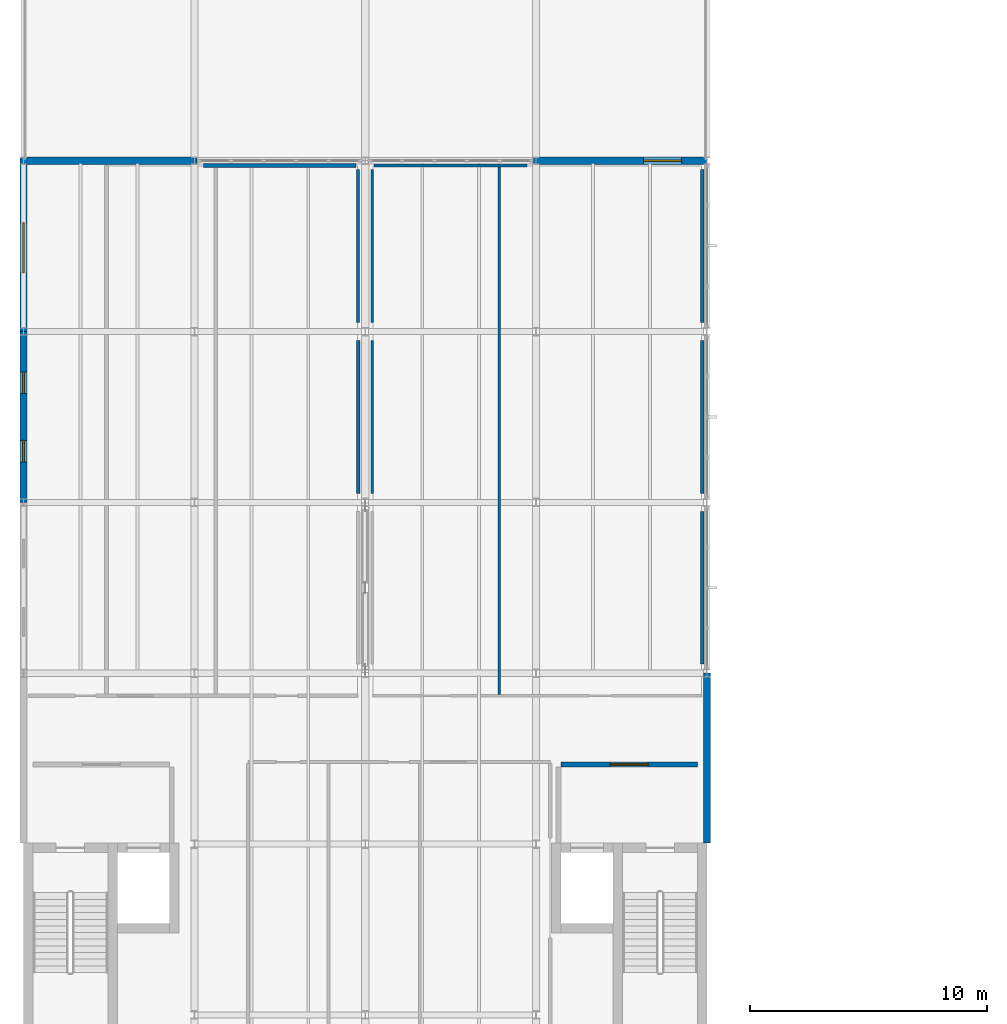
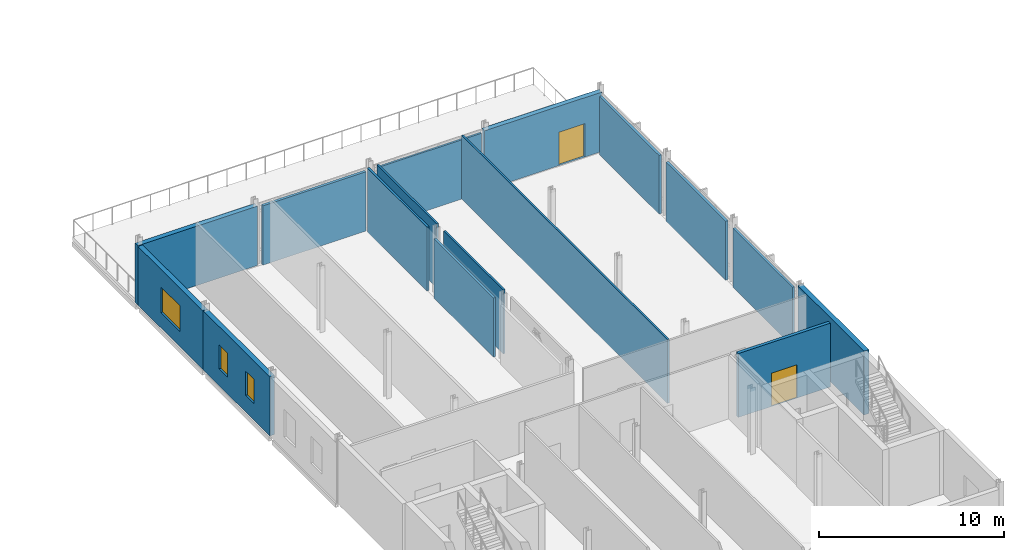
# One storey, part 15 of 21: 16 walls, 3 windows, 2 doors, 5 openings.
"""IFC4 building model written with IfcOpenShell, lengths in metres."""

import ifcopenshell
import ifcopenshell.guid

model = None  # the IFC model being written
_history = None  # IfcOwnerHistory: only IFC2X3 demands one
_inside = {}  # id of a spatial element -> (the spatial element, [elements in it])
_under = {}  # id of a project, library or spatial element -> (it, [spatial elements below it])
_declared = {}  # id of a project -> (the project, [libraries it declares])
_typed = {}  # id of a type object -> (the type object, [elements of that type])
_made_of = {}  # id of a material, layer set ... -> (it, [elements and type objects made of it])


def new_model(schema):
    """Start an empty IFC model of exactly this schema.

    Asked for "IFC4X3", IfcOpenShell would pick the latest addendum, in which some entities
    have other attributes; the version numbers below select the first issue.
    IFC2X3 requires an IfcOwnerHistory on every rooted entity: one is made here for all.
    """
    global model, _history
    if schema == "IFC4X3":
        model = ifcopenshell.file(schema_version=(4, 3, 0, 0))
    else:
        model = ifcopenshell.file(schema=schema)
    _inside.clear()
    _under.clear()
    _declared.clear()
    _typed.clear()
    _made_of.clear()
    _history = None
    if model.schema == "IFC2X3":
        org = make("IfcOrganization", Name="unknown")
        user = make(
            "IfcPersonAndOrganization",
            ThePerson=make("IfcPerson", FamilyName="unknown"),
            TheOrganization=org,
        )
        app = make(
            "IfcApplication",
            ApplicationDeveloper=org,
            Version="unknown",
            ApplicationFullName="unknown",
            ApplicationIdentifier="unknown",
        )
        _history = make(
            "IfcOwnerHistory",
            OwningUser=user,
            OwningApplication=app,
            ChangeAction="ADDED",
            CreationDate=0,
        )
    return model


def make(cls, **values):
    """One entity of the class cls with the attributes given. An attribute that is None is left unset."""
    return model.create_entity(
        cls, **{name: value for name, value in values.items() if value is not None}
    )


def rooted(cls, **values):
    """An entity with a GlobalId (a new one), such as an element, a storey or a relation."""
    return make(cls, GlobalId=ifcopenshell.guid.new(), OwnerHistory=_history, **values)


def si_unit(unit_type, name, prefix=None):
    """IfcSIUnit, for example si_unit("LENGTHUNIT", "METRE", prefix="MILLI")."""
    return make("IfcSIUnit", UnitType=unit_type, Prefix=prefix, Name=name)


def assignment(units):
    """IfcUnitAssignment: the units of a project."""
    return None if units is None else make("IfcUnitAssignment", Units=units)


def point(xyz):
    """IfcCartesianPoint."""
    return None if xyz is None else make("IfcCartesianPoint", Coordinates=xyz)


def direction(xyz):
    """IfcDirection."""
    return None if xyz is None else make("IfcDirection", DirectionRatios=xyz)


def frame(location, z_axis=None, x_axis=None):
    """IfcAxis2Placement3D, a coordinate frame: its origin and axes. An axis left out is left unset."""
    return make(
        "IfcAxis2Placement3D",
        Location=point(location),
        Axis=direction(z_axis),
        RefDirection=direction(x_axis),
    )


def frame_2d(location, x_axis=None):
    """IfcAxis2Placement2D, a coordinate frame in the plane: its origin and x axis."""
    return make(
        "IfcAxis2Placement2D", Location=point(location), RefDirection=direction(x_axis)
    )


def origin():
    """The frame at (0, 0, 0) with its axes left unset."""
    return frame((0.0, 0.0, 0.0))


def place(relative_to, where):
    """IfcLocalPlacement: puts the frame where relative to a parent placement (None: the world)."""
    return make(
        "IfcLocalPlacement", PlacementRelTo=relative_to, RelativePlacement=where
    )


def context(
    kind, dimensions, precision=None, world=None, true_north=None, identifier=None
):
    """IfcGeometricRepresentationContext, for example the 3D "Model" context."""
    return make(
        "IfcGeometricRepresentationContext",
        ContextIdentifier=identifier,
        ContextType=kind,
        CoordinateSpaceDimension=dimensions,
        Precision=precision,
        WorldCoordinateSystem=world,
        TrueNorth=true_north,
    )


def subcontext(parent, identifier, kind, view, scale=None):
    """IfcGeometricRepresentationSubContext, for example "Body" below "Model"."""
    return make(
        "IfcGeometricRepresentationSubContext",
        ContextIdentifier=identifier,
        ContextType=kind,
        ParentContext=parent,
        TargetScale=scale,
        TargetView=view,
    )


def project(units=None, contexts=None):
    """IfcProject with its units and contexts."""
    return rooted(
        "IfcProject",
        Name="project",
        RepresentationContexts=contexts,
        UnitsInContext=assignment(units),
    )


def spatial(cls, under=None, at=None, **own):
    """A site, building, storey or space (cls), placed at a placement, below another one or the project."""
    s = rooted(cls, ObjectPlacement=at, **own)
    if under is not None:
        _under.setdefault(under.id(), (under, []))[1].append(s)
    return s


def profile(cls, at=None, kind="AREA", **sizes):
    """A parametric profile (cls). Its sizes go by their IFC names, for example OverallWidth=200.0."""
    return make(cls, ProfileType=kind, Position=at, **sizes)


def rectangle(**sizes):
    """IfcRectangleProfileDef."""
    return profile("IfcRectangleProfileDef", **sizes)


def extrude(swept, where, along, depth):
    """IfcExtrudedAreaSolid: the profile swept, set in the frame where, extruded along a direction by depth."""
    return make(
        "IfcExtrudedAreaSolid",
        SweptArea=swept,
        Position=where,
        ExtrudedDirection=direction(along),
        Depth=depth,
    )


def shape(context_of_items, identifier, shape_type, items):
    """IfcShapeRepresentation: the items that make up one representation, for example the "Body"."""
    return make(
        "IfcShapeRepresentation",
        ContextOfItems=context_of_items,
        RepresentationIdentifier=identifier,
        RepresentationType=shape_type,
        Items=items,
    )


def material(Name=None, Category=None):
    """IfcMaterial."""
    return make("IfcMaterial", Name=Name, Category=Category)


def layer(
    of_material, thickness, ventilated=None, Name=None, Category=None, Priority=None
):
    """IfcMaterialLayer: one layer of a wall or slab, of a material (None: an air gap)."""
    return make(
        "IfcMaterialLayer",
        Material=of_material,
        LayerThickness=thickness,
        IsVentilated=ventilated,
        Name=Name,
        Category=Category,
        Priority=Priority,
    )


def layer_set(layers, Name=None):
    """IfcMaterialLayerSet."""
    return make("IfcMaterialLayerSet", MaterialLayers=layers, LayerSetName=Name)


def made_of(thing, what):
    """Note that an element or type object is made of a material, layer set ...; save() writes the relation."""
    if what is not None:
        _made_of.setdefault(what.id(), (what, []))[1].append(thing)
    return thing


def type_object(cls, material=None, **own):
    """A type object (cls), such as IfcWallType, which elements share."""
    return made_of(rooted(cls, **own), material)


def element(
    cls,
    number,
    at=None,
    inside=None,
    cuts=None,
    type_object=None,
    material=None,
    context=None,
    identifier="Body",
    shape_type=None,
    held_by="IfcProductDefinitionShape",
    body=None,
    shapes=None,
    **own,
):
    """One element of the class cls, such as IfcWall. Its Tag is "e" and its number.

    at: its placement. inside: the storey or other place that contains it. cuts: it is an
    opening in that element (IfcRelVoidsElement). A single representation is given by context,
    identifier, shape_type and body (its items); several are given by shapes. held_by: the class
    of the entity that holds the representations. save() writes the other relations.
    """
    e = rooted(cls, Tag="e%d" % number, ObjectPlacement=at, **own)
    if body is not None:
        shapes = [shape(context, identifier, shape_type, body)]
    if shapes is not None:
        e.Representation = make(held_by, Representations=shapes)
    if inside is not None:
        _inside.setdefault(inside.id(), (inside, []))[1].append(e)
    if cuts is not None:
        rooted(
            "IfcRelVoidsElement", RelatingBuildingElement=cuts, RelatedOpeningElement=e
        )
    if type_object is not None:
        _typed.setdefault(type_object.id(), (type_object, []))[1].append(e)
    return made_of(e, material)


def fill(opening, filler):
    """IfcRelFillsElement: the door or window that sits in an opening."""
    return rooted(
        "IfcRelFillsElement",
        RelatingOpeningElement=opening,
        RelatedBuildingElement=filler,
    )


def aggregate(whole, parts):
    """IfcRelAggregates: a whole, such as a stair, and the parts it consists of."""
    return rooted("IfcRelAggregates", RelatingObject=whole, RelatedObjects=parts)


def save(model, path):
    """Write the relations noted so far, then the file.

    IfcRelAggregates (storeys below a building ...), IfcRelContainedInSpatialStructure (elements
    in a storey), IfcRelDefinesByType, IfcRelAssociatesMaterial and IfcRelDeclares: one each for
    every whole, place, type object, material and project.
    """
    for whole, parts in _under.values():
        aggregate(whole, parts)
    for where, things in _inside.values():
        rooted(
            "IfcRelContainedInSpatialStructure",
            RelatedElements=things,
            RelatingStructure=where,
        )
    for kind, things in _typed.values():
        rooted("IfcRelDefinesByType", RelatedObjects=things, RelatingType=kind)
    for what, things in _made_of.values():
        rooted("IfcRelAssociatesMaterial", RelatedObjects=things, RelatingMaterial=what)
    for by, libraries in _declared.values():
        rooted("IfcRelDeclares", RelatingContext=by, RelatedDefinitions=libraries)
    model.write(path)


model = new_model("IFC4")

# Units and contexts
model_context = context("Model", 3, precision=1e-05, world=origin(), true_north=direction((0.0, 1.0)))
body_context = subcontext(model_context, "Body", "Model", "MODEL_VIEW")
ifc_project = project(units=[si_unit("LENGTHUNIT", "METRE"), si_unit("AREAUNIT", "SQUARE_METRE"), si_unit("VOLUMEUNIT", "CUBIC_METRE"), si_unit("PLANEANGLEUNIT", "RADIAN"), si_unit("MASSUNIT", "GRAM", prefix="KILO")], contexts=[model_context])

# Site, building, storey
site_placement = place(None, origin())
site = spatial("IfcSite", under=ifc_project, at=site_placement, CompositionType="ELEMENT")
building_placement = place(site_placement, origin())
building = spatial("IfcBuilding", under=site, at=building_placement, Name="Zarrinpeak Specialist Clinic", CompositionType="ELEMENT")
storey_placement = place(building_placement, frame((0.0, 0.0, 22.800048828125)))
storey = spatial("IfcBuildingStorey", under=building, at=storey_placement, Name="L05", CompositionType="ELEMENT", Elevation=22.800048828125)

# Wall
ifc_material_1 = material(Name="Precast concrete C40/50", Category="concrete")
ifc_layer_1 = layer(ifc_material_1, 0.300048828125)
ifc_layer_set_1 = layer_set([ifc_layer_1], Name="Precast concrete C40/50")
wall_type_1 = type_object("IfcWallType", Name="WL-EW300", PredefinedType="STANDARD", material=ifc_layer_set_1)
wall_1_placement = place(storey_placement, frame((7.31005859375, 43.199951171875, 0.0), z_axis=(0.0, 0.0, 1.0), x_axis=(-1.0, 0.0, 0.0)))
element("IfcWall", 1, at=wall_1_placement, inside=storey, type_object=wall_type_1, Name="L05 V1 Exterior GRC Wall EW-L05-V1-0075", PredefinedType="STANDARD", context=body_context, shape_type="SweptSolid", body=[
    extrude(rectangle(XDim=7.4599609375, YDim=0.300048828125, at=frame_2d((3.72998046875, 0.0))), origin(), (0.0, 0.0, 1.0), 3.9150390625),
])

# Wall, opening, door
wall_2_placement = place(storey_placement, frame((28.800048828125, 43.199951171875, 0.0), z_axis=(0.0, 0.0, 1.0), x_axis=(-1.0, 0.0, 0.0)))
wall_2 = element("IfcWall", 2, at=wall_2_placement, inside=storey, type_object=wall_type_1, Name="L05 V1 Exterior GRC Wall EW-L05-V1-0076", PredefinedType="STANDARD", context=body_context, shape_type="SweptSolid", body=[
    extrude(rectangle(XDim=7.31005859375, YDim=0.300048828125, at=frame_2d((3.655029296875, 0.0))), origin(), (0.0, 0.0, 1.0), 3.9150390625),
])
opening_1_placement = place(wall_2_placement, frame((1.06201171875, 0.0, 0.0)))
opening_1 = element("IfcOpeningElement", 3, at=opening_1_placement, cuts=wall_2, Name="Opening D-TR2", PredefinedType="OPENING", context=body_context, shape_type="SweptSolid", body=[
    extrude(rectangle(XDim=1.60009765625, YDim=2.199951171875, at=frame_2d((0.800048828125, 1.10009765625))), frame((0.0, 0.16015625, 0.0), z_axis=(0.0, -1.0, 0.0), x_axis=(1.0, 0.0, 0.0)), (0.0, 0.0, 1.0), 0.320068359375),
])
ifc_material_2 = material(Name="Powder-Coated Steel and Safety Glazing", Category="steel")
door_type_1 = type_object("IfcDoorType", Name="DR-TER160", OperationType="DOUBLE_DOOR_SINGLE_SWING", PredefinedType="DOOR", material=ifc_material_2)
door_1_placement = place(opening_1_placement, origin())
door_1 = element("IfcDoor", 4, at=door_1_placement, inside=storey, type_object=door_type_1, Name="L05 V1 Healing Terrace Access Door TD-01", OperationType="DOUBLE_DOOR_SINGLE_SWING", OverallHeight=2.199951171875, OverallWidth=1.60009765625, PredefinedType="DOOR", context=body_context, shape_type="SweptSolid", body=[
    extrude(rectangle(XDim=1.60009765625, YDim=2.199951171875, at=frame_2d((0.800048828125, 1.10009765625))), frame((0.0, 0.02490234375, 0.0), z_axis=(0.0, -1.0, 0.0), x_axis=(1.0, 0.0, 0.0)), (0.0, 0.0, 1.0), 0.050048828125),
])
fill(opening_1, door_1)

# Wall, openings, windows
wall_3_placement = place(storey_placement, frame((0.0, 36.0, 0.0), z_axis=(0.0, 0.0, 1.0), x_axis=(0.0, -1.0, 0.0)))
wall_3 = element("IfcWall", 5, at=wall_3_placement, inside=storey, type_object=wall_type_1, Name="L05 V1 Exterior GRC Wall EW-L05-V1-0080", PredefinedType="STANDARD", context=body_context, shape_type="SweptSolid", body=[
    extrude(rectangle(XDim=7.199951171875, YDim=0.300048828125, at=frame_2d((3.60009765625, 0.0))), origin(), (0.0, 0.0, 1.0), 3.89990234375),
])
opening_2_placement = place(wall_3_placement, frame((1.7099609375, 0.0, 1.10009765625)))
opening_2 = element("IfcOpeningElement", 6, at=opening_2_placement, cuts=wall_3, Name="Opening W-07", PredefinedType="OPENING", context=body_context, shape_type="SweptSolid", body=[
    extrude(rectangle(XDim=0.89990234375, YDim=1.60009765625, at=frame_2d((0.449951171875, 0.800048828125))), frame((0.0, 0.16015625, 0.0), z_axis=(0.0, -1.0, 0.0), x_axis=(1.0, 0.0, 0.0)), (0.0, 0.0, 1.0), 0.320068359375),
])
opening_3_placement = place(wall_3_placement, frame((4.590087890625, 0.0, 1.10009765625)))
opening_3 = element("IfcOpeningElement", 7, at=opening_3_placement, cuts=wall_3, Name="Opening W-07", PredefinedType="OPENING", context=body_context, shape_type="SweptSolid", body=[
    extrude(rectangle(XDim=0.89990234375, YDim=1.60009765625, at=frame_2d((0.449951171875, 0.800048828125))), frame((0.0, 0.16015625, 0.0), z_axis=(0.0, -1.0, 0.0), x_axis=(1.0, 0.0, 0.0)), (0.0, 0.0, 1.0), 0.320068359375),
])
ifc_material_3 = material(Name="Thermally Broken Aluminium and Low-E Glazing", Category="aluminium")
window_type_1 = type_object("IfcWindowType", Name="WN-OBS90", PartitioningType="SINGLE_PANEL", PredefinedType="WINDOW", material=ifc_material_3)
window_1_placement = place(opening_2_placement, origin())
window_1 = element("IfcWindow", 8, at=window_1_placement, inside=storey, type_object=window_type_1, Name="L05 Modular Facade Window WN-L05-0117", OverallHeight=1.60009765625, OverallWidth=0.89990234375, PartitioningType="SINGLE_PANEL", PredefinedType="WINDOW", context=body_context, shape_type="SweptSolid", body=[
    extrude(rectangle(XDim=0.89990234375, YDim=1.60009765625, at=frame_2d((0.449951171875, 0.800048828125))), frame((0.0, 0.030029296875, 0.0), z_axis=(0.0, -1.0, 0.0), x_axis=(1.0, 0.0, 0.0)), (0.0, 0.0, 1.0), 0.06005859375),
])
fill(opening_2, window_1)
window_2_placement = place(opening_3_placement, origin())
window_2 = element("IfcWindow", 9, at=window_2_placement, inside=storey, type_object=window_type_1, Name="L05 Modular Facade Window WN-L05-0118", OverallHeight=1.60009765625, OverallWidth=0.89990234375, PartitioningType="SINGLE_PANEL", PredefinedType="WINDOW", context=body_context, shape_type="SweptSolid", body=[
    extrude(rectangle(XDim=0.89990234375, YDim=1.60009765625, at=frame_2d((0.449951171875, 0.800048828125))), frame((0.0, 0.030029296875, 0.0), z_axis=(0.0, -1.0, 0.0), x_axis=(1.0, 0.0, 0.0)), (0.0, 0.0, 1.0), 0.06005859375),
])
fill(opening_3, window_2)

# Wall, opening, window
wall_4_placement = place(storey_placement, frame((0.0, 43.050048828125, 0.0), z_axis=(0.0, 0.0, 1.0), x_axis=(0.0, -1.0, 0.0)))
wall_4 = element("IfcWall", 10, at=wall_4_placement, inside=storey, type_object=wall_type_1, Name="L05 V1 Exterior GRC Wall EW-L05-V1-0081", PredefinedType="STANDARD", context=body_context, shape_type="SweptSolid", body=[
    extrude(rectangle(XDim=7.050048828125, YDim=0.300048828125, at=frame_2d((3.52490234375, 0.0))), origin(), (0.0, 0.0, 1.0), 3.864990234375),
])
opening_4_placement = place(wall_4_placement, frame((2.47509765625, 0.0, 1.0)))
opening_4 = element("IfcOpeningElement", 11, at=opening_4_placement, cuts=wall_4, Name="Opening W-08", PredefinedType="OPENING", context=body_context, shape_type="SweptSolid", body=[
    extrude(rectangle(XDim=2.10009765625, YDim=1.699951171875, at=frame_2d((1.050048828125, 0.85009765625))), frame((0.0, 0.16015625, 0.0), z_axis=(0.0, -1.0, 0.0), x_axis=(1.0, 0.0, 0.0)), (0.0, 0.0, 1.0), 0.320068359375),
])
window_type_2 = type_object("IfcWindowType", Name="WN-LAB210", PartitioningType="SINGLE_PANEL", PredefinedType="WINDOW", material=ifc_material_3)
window_3_placement = place(opening_4_placement, origin())
window_3 = element("IfcWindow", 12, at=window_3_placement, inside=storey, type_object=window_type_2, Name="L05 Modular Facade Window WN-L05-0119", OverallHeight=1.699951171875, OverallWidth=2.10009765625, PartitioningType="SINGLE_PANEL", PredefinedType="WINDOW", context=body_context, shape_type="SweptSolid", body=[
    extrude(rectangle(XDim=2.10009765625, YDim=1.699951171875, at=frame_2d((1.050048828125, 0.85009765625))), frame((0.0, 0.030029296875, 0.0), z_axis=(0.0, -1.0, 0.0), x_axis=(1.0, 0.0, 0.0)), (0.0, 0.0, 1.0), 0.06005859375),
])
fill(opening_4, window_3)

# Walls
wall_5_placement = place(storey_placement, frame((28.800048828125, 14.449951171875, 0.0), z_axis=(0.0, 0.0, 1.0), x_axis=(0.0, 1.0, 0.0)))
element("IfcWall", 13, at=wall_5_placement, inside=storey, type_object=wall_type_1, Name="L05 V1 Exterior GRC Wall EW-L05-V1-0083", PredefinedType="STANDARD", context=body_context, shape_type="SweptSolid", body=[
    extrude(rectangle(XDim=7.150146484375, YDim=0.300048828125, at=frame_2d((3.5751953125, 0.0))), origin(), (0.0, 0.0, 1.0), 4.21484375),
])
ifc_material_4 = material(Name="Cleanroom Flush Phenolic Partition", Category="gypsum")
ifc_layer_2 = layer(ifc_material_4, 0.117919921875)
ifc_layer_set_2 = layer_set([ifc_layer_2], Name="Cleanroom Flush Phenolic Partition")
wall_type_2 = type_object("IfcWallType", Name="WL-IW118", PredefinedType="PARTITIONING", material=ifc_layer_set_2)
wall_6_placement = place(storey_placement, frame((14.780029296875, 43.0, 0.0), z_axis=(0.0, 0.0, 1.0), x_axis=(1.0, 0.0, 0.0)))
element("IfcWall", 14, at=wall_6_placement, inside=storey, type_object=wall_type_2, Name="L05 Allergy Immunology Patch Lab Partition", PredefinedType="PARTITIONING", context=body_context, shape_type="SweptSolid", body=[
    extrude(rectangle(XDim=6.43994140625, YDim=0.117919921875, at=frame_2d((3.219970703125, 0.0))), origin(), (0.0, 0.0, 1.0), 3.9150390625),
])
for number, where, z_axis, x_axis, name in (
    (15, (14.699951171875, 29.179931640625, 0.0), (0.0, 0.0, 1.0), (0.0, 1.0, 0.0), "L05 Allergy Immunology Patch Lab Dividing Partition"),
    (16, (14.699951171875, 36.3798828125, 0.0), (0.0, 0.0, 1.0), (0.0, 1.0, 0.0), "L05 Allergy Immunology Patch Lab Dividing Partition"),
):
    element("IfcWall", number, at=place(storey_placement, frame(where, z_axis=z_axis, x_axis=x_axis)), inside=storey, type_object=wall_type_2, Name=name, PredefinedType="PARTITIONING", context=body_context, shape_type="SweptSolid", body=[
        extrude(rectangle(XDim=6.440185546875, YDim=0.117919921875, at=frame_2d((3.22021484375, 0.0))), origin(), (0.0, 0.0, 1.0), 4.21484375),
    ])
wall_7_placement = place(storey_placement, frame((20.050048828125, 20.708984375, 0.0), z_axis=(0.0, 0.0, 1.0), x_axis=(0.0, 1.0, 0.0)))
element("IfcWall", 17, at=wall_7_placement, inside=storey, type_object=wall_type_2, Name="L05 Allergy Immunology Patch Lab Dividing Partition", PredefinedType="PARTITIONING", context=body_context, shape_type="SweptSolid", body=[
    extrude(rectangle(XDim=22.23193359375, YDim=0.117919921875, at=frame_2d((11.115966796875, 0.0))), origin(), (0.0, 0.0, 1.0), 4.21484375),
])
ifc_material_5 = material(Name="Standard Drywall Partition", Category="gypsum")
ifc_layer_3 = layer(ifc_material_5, 0.135009765625)
ifc_layer_set_3 = layer_set([ifc_layer_3], Name="Standard Drywall Partition")
wall_type_3 = type_object("IfcWallType", Name="WL-IW135", PredefinedType="PARTITIONING", material=ifc_layer_set_3)
wall_8_placement = place(storey_placement, frame((14.10009765625, 36.3798828125, 0.0), z_axis=(0.0, 0.0, 1.0), x_axis=(0.0, 1.0, 0.0)))
element("IfcWall", 18, at=wall_8_placement, inside=storey, type_object=wall_type_3, Name="L05 Specialist Consultation Room 1 Dividing Partition", PredefinedType="PARTITIONING", context=body_context, shape_type="SweptSolid", body=[
    extrude(rectangle(XDim=6.440185546875, YDim=0.135009765625, at=frame_2d((3.22021484375, 0.0))), origin(), (0.0, 0.0, 1.0), 4.21484375),
])
wall_9_placement = place(storey_placement, frame((28.60009765625, 21.97998046875, 0.0), z_axis=(0.0, 0.0, 1.0), x_axis=(0.0, 1.0, 0.0)))
element("IfcWall", 19, at=wall_9_placement, inside=storey, type_object=wall_type_3, Name="L05 Specialist Consultation Room 2 Dividing Partition", PredefinedType="PARTITIONING", context=body_context, shape_type="SweptSolid", body=[
    extrude(rectangle(XDim=6.43994140625, YDim=0.135009765625, at=frame_2d((3.219970703125, 0.0))), origin(), (0.0, 0.0, 1.0), 3.89990234375),
])
ifc_material_6 = material(Name="Acoustic Consultation Stud Partition", Category="gypsum")
ifc_layer_4 = layer(ifc_material_6, 0.14208984375)
ifc_layer_set_4 = layer_set([ifc_layer_4], Name="Acoustic Consultation Stud Partition")
wall_type_4 = type_object("IfcWallType", Name="WL-IW142", PredefinedType="PARTITIONING", material=ifc_layer_set_4)
wall_10_placement = place(storey_placement, frame((14.10009765625, 29.179931640625, 0.0), z_axis=(0.0, 0.0, 1.0), x_axis=(0.0, 1.0, 0.0)))
element("IfcWall", 20, at=wall_10_placement, inside=storey, type_object=wall_type_4, Name="L05 Specialist Consultation Room 1 Dividing Partition", PredefinedType="PARTITIONING", context=body_context, shape_type="SweptSolid", body=[
    extrude(rectangle(XDim=6.440185546875, YDim=0.14208984375, at=frame_2d((3.22021484375, 0.0))), origin(), (0.0, 0.0, 1.0), 3.909912109375),
])
ifc_material_7 = material(Name="Insulated Clinical Gypsum Stud Partition", Category="gypsum")
ifc_layer_5 = layer(ifc_material_7, 0.14990234375)
ifc_layer_set_5 = layer_set([ifc_layer_5], Name="Insulated Clinical Gypsum Stud Partition")
wall_type_5 = type_object("IfcWallType", Name="WL-IW150", PredefinedType="PARTITIONING", material=ifc_layer_set_5)
wall_11_placement = place(storey_placement, frame((28.60009765625, 36.3798828125, 0.0), z_axis=(0.0, 0.0, 1.0), x_axis=(0.0, 1.0, 0.0)))
element("IfcWall", 21, at=wall_11_placement, inside=storey, type_object=wall_type_5, Name="L05 Specialist Consultation Room 2 Dividing Partition", PredefinedType="PARTITIONING", context=body_context, shape_type="SweptSolid", body=[
    extrude(rectangle(XDim=6.440185546875, YDim=0.14990234375, at=frame_2d((3.22021484375, 0.0))), origin(), (0.0, 0.0, 1.0), 3.864990234375),
])
ifc_material_8 = material(Name="Acoustic Double Gypsum Stud Partition", Category="gypsum")
ifc_layer_6 = layer(ifc_material_8, 0.159912109375)
ifc_layer_set_6 = layer_set([ifc_layer_6], Name="Acoustic Double Gypsum Stud Partition")
wall_type_6 = type_object("IfcWallType", Name="WL-IW160", PredefinedType="PARTITIONING", material=ifc_layer_set_6)
wall_12_placement = place(storey_placement, frame((7.580078125, 43.0, 0.0), z_axis=(0.0, 0.0, 1.0), x_axis=(1.0, 0.0, 0.0)))
element("IfcWall", 22, at=wall_12_placement, inside=storey, type_object=wall_type_6, Name="L05 Minor Dermatosurgery Suite Partition", PredefinedType="PARTITIONING", context=body_context, shape_type="SweptSolid", body=[
    extrude(rectangle(XDim=6.43994140625, YDim=0.159912109375, at=frame_2d((3.219970703125, 0.0))), origin(), (0.0, 0.0, 1.0), 3.9150390625),
])
wall_13_placement = place(storey_placement, frame((28.60009765625, 29.179931640625, 0.0), z_axis=(0.0, 0.0, 1.0), x_axis=(0.0, 1.0, 0.0)))
element("IfcWall", 23, at=wall_13_placement, inside=storey, type_object=wall_type_6, Name="L05 Specialist Consultation Room 2 Dividing Partition", PredefinedType="PARTITIONING", context=body_context, shape_type="SweptSolid", body=[
    extrude(rectangle(XDim=6.440185546875, YDim=0.159912109375, at=frame_2d((3.22021484375, 0.0))), origin(), (0.0, 0.0, 1.0), 3.89990234375),
])

# Wall, opening, door
ifc_material_9 = material(Name="Autoclaved Aerated Concrete Blockwork", Category="masonry")
ifc_layer_7 = layer(ifc_material_9, 0.199951171875)
ifc_layer_set_7 = layer_set([ifc_layer_7], Name="Autoclaved Aerated Concrete Blockwork")
wall_type_7 = type_object("IfcWallType", Name="WL-IW200", PredefinedType="PARTITIONING", material=ifc_layer_set_7)
wall_14_placement = place(storey_placement, frame((22.64990234375, 17.75, 0.0), z_axis=(0.0, 0.0, 1.0), x_axis=(1.0, 0.0, 0.0)))
wall_14 = element("IfcWall", 24, at=wall_14_placement, inside=storey, type_object=wall_type_7, Name="L05 C02 Protected Lobby Partition LBF", PredefinedType="PARTITIONING", context=body_context, shape_type="SweptSolid", body=[
    extrude(rectangle(XDim=5.75, YDim=0.199951171875, at=frame_2d((2.875, 0.0))), origin(), (0.0, 0.0, 1.0), 4.21484375),
])
opening_5_placement = place(wall_14_placement, frame((2.074951171875, 0.0, 0.0)))
opening_5 = element("IfcOpeningElement", 25, at=opening_5_placement, cuts=wall_14, Name="Opening D-L01", PredefinedType="OPENING", context=body_context, shape_type="SweptSolid", body=[
    extrude(rectangle(XDim=1.60009765625, YDim=2.199951171875, at=frame_2d((0.800048828125, 1.10009765625))), frame((0.0, 0.10986328125, 0.0), z_axis=(0.0, -1.0, 0.0), x_axis=(1.0, 0.0, 0.0)), (0.0, 0.0, 1.0), 0.219970703125),
])
ifc_material_10 = material(Name="Powder-Coated Galvanised Steel", Category="steel")
door_type_2 = type_object("IfcDoorType", Name="DR-LB160", OperationType="DOUBLE_DOOR_SINGLE_SWING", PredefinedType="DOOR", material=ifc_material_10)
door_2_placement = place(opening_5_placement, origin())
door_2 = element("IfcDoor", 26, at=door_2_placement, inside=storey, type_object=door_type_2, Name="L05 C02 Lobby Hold-Open Fire Door", OperationType="DOUBLE_DOOR_SINGLE_SWING", OverallHeight=2.199951171875, OverallWidth=1.60009765625, PredefinedType="DOOR", context=body_context, shape_type="SweptSolid", body=[
    extrude(rectangle(XDim=1.60009765625, YDim=2.199951171875, at=frame_2d((0.800048828125, 1.10009765625))), frame((0.0, 0.02490234375, 0.0), z_axis=(0.0, -1.0, 0.0), x_axis=(1.0, 0.0, 0.0)), (0.0, 0.0, 1.0), 0.050048828125),
])
fill(opening_5, door_2)

save(model, "model.ifc")
